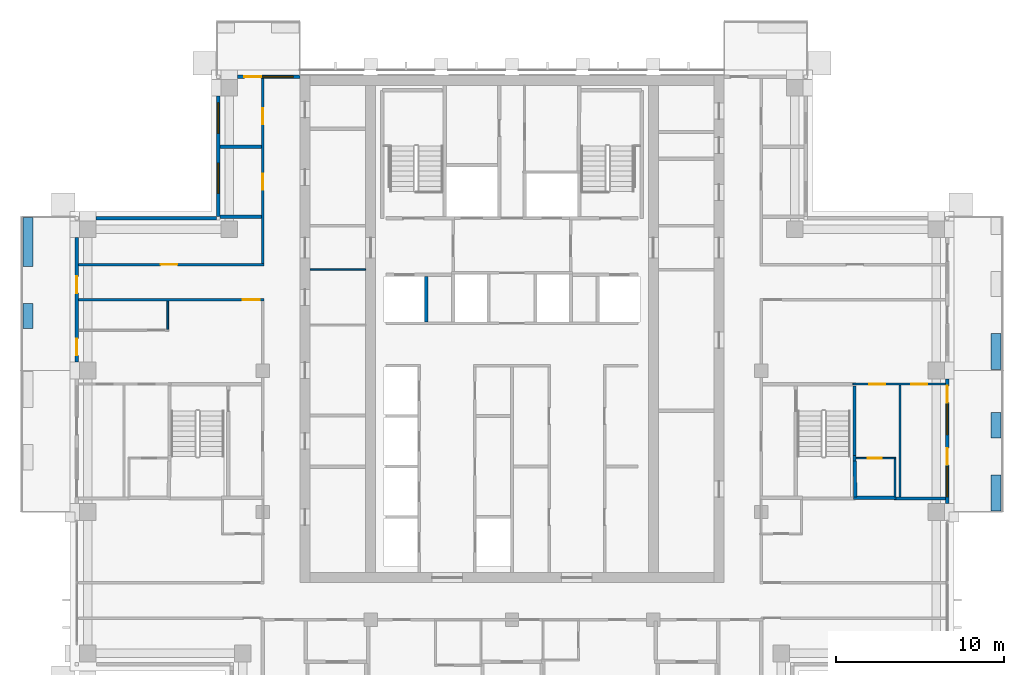
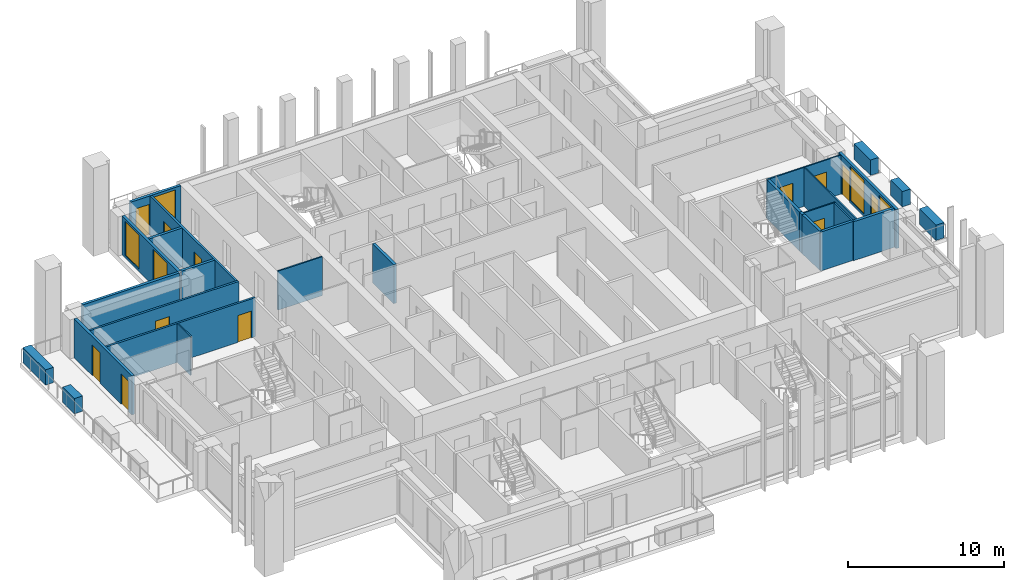
# One storey, part 10 of 17: 27 walls, 12 doors, 5 windows, 17 openings.
"""IFC4 building model written with IfcOpenShell, lengths in metres."""

import ifcopenshell
import ifcopenshell.guid

model = None  # the IFC model being written
_history = None  # IfcOwnerHistory: only IFC2X3 demands one
_inside = {}  # id of a spatial element -> (the spatial element, [elements in it])
_under = {}  # id of a project, library or spatial element -> (it, [spatial elements below it])
_declared = {}  # id of a project -> (the project, [libraries it declares])
_typed = {}  # id of a type object -> (the type object, [elements of that type])
_made_of = {}  # id of a material, layer set ... -> (it, [elements and type objects made of it])


def new_model(schema):
    """Start an empty IFC model of exactly this schema.

    Asked for "IFC4X3", IfcOpenShell would pick the latest addendum, in which some entities
    have other attributes; the version numbers below select the first issue.
    IFC2X3 requires an IfcOwnerHistory on every rooted entity: one is made here for all.
    """
    global model, _history
    if schema == "IFC4X3":
        model = ifcopenshell.file(schema_version=(4, 3, 0, 0))
    else:
        model = ifcopenshell.file(schema=schema)
    _inside.clear()
    _under.clear()
    _declared.clear()
    _typed.clear()
    _made_of.clear()
    _history = None
    if model.schema == "IFC2X3":
        org = make("IfcOrganization", Name="unknown")
        user = make(
            "IfcPersonAndOrganization",
            ThePerson=make("IfcPerson", FamilyName="unknown"),
            TheOrganization=org,
        )
        app = make(
            "IfcApplication",
            ApplicationDeveloper=org,
            Version="unknown",
            ApplicationFullName="unknown",
            ApplicationIdentifier="unknown",
        )
        _history = make(
            "IfcOwnerHistory",
            OwningUser=user,
            OwningApplication=app,
            ChangeAction="ADDED",
            CreationDate=0,
        )
    return model


def make(cls, **values):
    """One entity of the class cls with the attributes given. An attribute that is None is left unset."""
    return model.create_entity(
        cls, **{name: value for name, value in values.items() if value is not None}
    )


def rooted(cls, **values):
    """An entity with a GlobalId (a new one), such as an element, a storey or a relation."""
    return make(cls, GlobalId=ifcopenshell.guid.new(), OwnerHistory=_history, **values)


def si_unit(unit_type, name, prefix=None):
    """IfcSIUnit, for example si_unit("LENGTHUNIT", "METRE", prefix="MILLI")."""
    return make("IfcSIUnit", UnitType=unit_type, Prefix=prefix, Name=name)


def assignment(units):
    """IfcUnitAssignment: the units of a project."""
    return None if units is None else make("IfcUnitAssignment", Units=units)


def point(xyz):
    """IfcCartesianPoint."""
    return None if xyz is None else make("IfcCartesianPoint", Coordinates=xyz)


def direction(xyz):
    """IfcDirection."""
    return None if xyz is None else make("IfcDirection", DirectionRatios=xyz)


def frame(location, z_axis=None, x_axis=None):
    """IfcAxis2Placement3D, a coordinate frame: its origin and axes. An axis left out is left unset."""
    return make(
        "IfcAxis2Placement3D",
        Location=point(location),
        Axis=direction(z_axis),
        RefDirection=direction(x_axis),
    )


def frame_2d(location, x_axis=None):
    """IfcAxis2Placement2D, a coordinate frame in the plane: its origin and x axis."""
    return make(
        "IfcAxis2Placement2D", Location=point(location), RefDirection=direction(x_axis)
    )


def origin():
    """The frame at (0, 0, 0) with its axes left unset."""
    return frame((0.0, 0.0, 0.0))


def place(relative_to, where):
    """IfcLocalPlacement: puts the frame where relative to a parent placement (None: the world)."""
    return make(
        "IfcLocalPlacement", PlacementRelTo=relative_to, RelativePlacement=where
    )


def context(
    kind, dimensions, precision=None, world=None, true_north=None, identifier=None
):
    """IfcGeometricRepresentationContext, for example the 3D "Model" context."""
    return make(
        "IfcGeometricRepresentationContext",
        ContextIdentifier=identifier,
        ContextType=kind,
        CoordinateSpaceDimension=dimensions,
        Precision=precision,
        WorldCoordinateSystem=world,
        TrueNorth=true_north,
    )


def subcontext(parent, identifier, kind, view, scale=None):
    """IfcGeometricRepresentationSubContext, for example "Body" below "Model"."""
    return make(
        "IfcGeometricRepresentationSubContext",
        ContextIdentifier=identifier,
        ContextType=kind,
        ParentContext=parent,
        TargetScale=scale,
        TargetView=view,
    )


def project(units=None, contexts=None):
    """IfcProject with its units and contexts."""
    return rooted(
        "IfcProject",
        Name="project",
        RepresentationContexts=contexts,
        UnitsInContext=assignment(units),
    )


def spatial(cls, under=None, at=None, **own):
    """A site, building, storey or space (cls), placed at a placement, below another one or the project."""
    s = rooted(cls, ObjectPlacement=at, **own)
    if under is not None:
        _under.setdefault(under.id(), (under, []))[1].append(s)
    return s


def profile(cls, at=None, kind="AREA", **sizes):
    """A parametric profile (cls). Its sizes go by their IFC names, for example OverallWidth=200.0."""
    return make(cls, ProfileType=kind, Position=at, **sizes)


def rectangle(**sizes):
    """IfcRectangleProfileDef."""
    return profile("IfcRectangleProfileDef", **sizes)


def extrude(swept, where, along, depth):
    """IfcExtrudedAreaSolid: the profile swept, set in the frame where, extruded along a direction by depth."""
    return make(
        "IfcExtrudedAreaSolid",
        SweptArea=swept,
        Position=where,
        ExtrudedDirection=direction(along),
        Depth=depth,
    )


def shape(context_of_items, identifier, shape_type, items):
    """IfcShapeRepresentation: the items that make up one representation, for example the "Body"."""
    return make(
        "IfcShapeRepresentation",
        ContextOfItems=context_of_items,
        RepresentationIdentifier=identifier,
        RepresentationType=shape_type,
        Items=items,
    )


def material(Name=None, Category=None):
    """IfcMaterial."""
    return make("IfcMaterial", Name=Name, Category=Category)


def layer(
    of_material, thickness, ventilated=None, Name=None, Category=None, Priority=None
):
    """IfcMaterialLayer: one layer of a wall or slab, of a material (None: an air gap)."""
    return make(
        "IfcMaterialLayer",
        Material=of_material,
        LayerThickness=thickness,
        IsVentilated=ventilated,
        Name=Name,
        Category=Category,
        Priority=Priority,
    )


def layer_set(layers, Name=None):
    """IfcMaterialLayerSet."""
    return make("IfcMaterialLayerSet", MaterialLayers=layers, LayerSetName=Name)


def made_of(thing, what):
    """Note that an element or type object is made of a material, layer set ...; save() writes the relation."""
    if what is not None:
        _made_of.setdefault(what.id(), (what, []))[1].append(thing)
    return thing


def type_object(cls, material=None, **own):
    """A type object (cls), such as IfcWallType, which elements share."""
    return made_of(rooted(cls, **own), material)


def element(
    cls,
    number,
    at=None,
    inside=None,
    cuts=None,
    type_object=None,
    material=None,
    context=None,
    identifier="Body",
    shape_type=None,
    held_by="IfcProductDefinitionShape",
    body=None,
    shapes=None,
    **own,
):
    """One element of the class cls, such as IfcWall. Its Tag is "e" and its number.

    at: its placement. inside: the storey or other place that contains it. cuts: it is an
    opening in that element (IfcRelVoidsElement). A single representation is given by context,
    identifier, shape_type and body (its items); several are given by shapes. held_by: the class
    of the entity that holds the representations. save() writes the other relations.
    """
    e = rooted(cls, Tag="e%d" % number, ObjectPlacement=at, **own)
    if body is not None:
        shapes = [shape(context, identifier, shape_type, body)]
    if shapes is not None:
        e.Representation = make(held_by, Representations=shapes)
    if inside is not None:
        _inside.setdefault(inside.id(), (inside, []))[1].append(e)
    if cuts is not None:
        rooted(
            "IfcRelVoidsElement", RelatingBuildingElement=cuts, RelatedOpeningElement=e
        )
    if type_object is not None:
        _typed.setdefault(type_object.id(), (type_object, []))[1].append(e)
    return made_of(e, material)


def fill(opening, filler):
    """IfcRelFillsElement: the door or window that sits in an opening."""
    return rooted(
        "IfcRelFillsElement",
        RelatingOpeningElement=opening,
        RelatedBuildingElement=filler,
    )


def aggregate(whole, parts):
    """IfcRelAggregates: a whole, such as a stair, and the parts it consists of."""
    return rooted("IfcRelAggregates", RelatingObject=whole, RelatedObjects=parts)


def save(model, path):
    """Write the relations noted so far, then the file.

    IfcRelAggregates (storeys below a building ...), IfcRelContainedInSpatialStructure (elements
    in a storey), IfcRelDefinesByType, IfcRelAssociatesMaterial and IfcRelDeclares: one each for
    every whole, place, type object, material and project.
    """
    for whole, parts in _under.values():
        aggregate(whole, parts)
    for where, things in _inside.values():
        rooted(
            "IfcRelContainedInSpatialStructure",
            RelatedElements=things,
            RelatingStructure=where,
        )
    for kind, things in _typed.values():
        rooted("IfcRelDefinesByType", RelatedObjects=things, RelatingType=kind)
    for what, things in _made_of.values():
        rooted("IfcRelAssociatesMaterial", RelatedObjects=things, RelatingMaterial=what)
    for by, libraries in _declared.values():
        rooted("IfcRelDeclares", RelatingContext=by, RelatedDefinitions=libraries)
    model.write(path)


model = new_model("IFC4")

# Units and contexts
model_context = context("Model", 3, precision=1e-05, world=origin(), true_north=direction((0.0, 1.0)))
body_context = subcontext(model_context, "Body", "Model", "MODEL_VIEW")
ifc_project = project(units=[si_unit("LENGTHUNIT", "METRE"), si_unit("AREAUNIT", "SQUARE_METRE"), si_unit("VOLUMEUNIT", "CUBIC_METRE"), si_unit("PLANEANGLEUNIT", "RADIAN"), si_unit("MASSUNIT", "GRAM", prefix="KILO")], contexts=[model_context])

# Site, building, storey
site_placement = place(None, origin())
site = spatial("IfcSite", under=ifc_project, at=site_placement, CompositionType="ELEMENT")
building_placement = place(site_placement, origin())
building = spatial("IfcBuilding", under=site, at=building_placement, Name="Vermilion Ogive Tower", CompositionType="ELEMENT")
storey_placement = place(building_placement, frame((0.0, 0.0, 192.800048828125)))
storey = spatial("IfcBuildingStorey", under=building, at=storey_placement, Name="L50", CompositionType="ELEMENT", Elevation=192.800048828125)

# Wall, opening, door
ifc_material_1 = material(Name="Gypsum board partition on steel studs", Category="steel")
ifc_layer_1 = layer(ifc_material_1, 0.10009765625)
ifc_layer_set_1 = layer_set([ifc_layer_1], Name="Partition 100 bath")
wall_type_1 = type_object("IfcWallType", Name="Partition 100 bath", PredefinedType="PARTITIONING", material=ifc_layer_set_1)
wall_1_placement = place(storey_placement, frame((20.449951171875, -1.0, 0.0), z_axis=(0.0, 0.0, 1.0), x_axis=(1.0, 0.0, 0.0)))
wall_1 = element("IfcWall", 1, at=wall_1_placement, inside=storey, type_object=wall_type_1, Name="L50-W-W032", PredefinedType="PARTITIONING", context=body_context, shape_type="SweptSolid", body=[
    extrude(rectangle(XDim=2.35009765625, YDim=0.10009765625, at=frame_2d((1.175048828125, 0.0))), origin(), (0.0, 0.0, 1.0), 3.050048828125),
])
opening_1_placement = place(wall_1_placement, frame((0.675048828125, 0.0, 0.0)))
opening_1 = element("IfcOpeningElement", 2, at=opening_1_placement, cuts=wall_1, Name="Opening D4G3022", PredefinedType="OPENING", context=body_context, shape_type="SweptSolid", body=[
    extrude(rectangle(XDim=0.85009765625, YDim=2.10009765625, at=frame_2d((0.425048828125, 1.050048828125))), frame((0.0, 0.06005859375, 0.0), z_axis=(0.0, -1.0, 0.0), x_axis=(1.0, 0.0, 0.0)), (0.0, 0.0, 1.0), 0.1201171875),
])
ifc_material_2 = material(Name="Timber door leaf", Category="wood")
door_type_1 = type_object("IfcDoorType", Name="Bath door 850 x 2100 FD30", OperationType="SINGLE_SWING_LEFT", PredefinedType="DOOR", material=ifc_material_2)
door_1_placement = place(opening_1_placement, origin())
door_1 = element("IfcDoor", 3, at=door_1_placement, inside=storey, type_object=door_type_1, Name="L50-D-D022", OperationType="SINGLE_SWING_RIGHT", OverallHeight=2.10009765625, OverallWidth=0.85009765625, PredefinedType="DOOR", context=body_context, shape_type="SweptSolid", body=[
    extrude(rectangle(XDim=0.85009765625, YDim=2.10009765625, at=frame_2d((0.425048828125, 1.050048828125))), frame((0.0, 0.02490234375, 0.0), z_axis=(0.0, -1.0, 0.0), x_axis=(1.0, 0.0, 0.0)), (0.0, 0.0, 1.0), 0.050048828125),
])
fill(opening_1, door_1)

# Walls
wall_2_placement = place(storey_placement, frame((22.75, -3.300048828125, 0.0), z_axis=(0.0, 0.0, 1.0), x_axis=(0.0, 1.0, 0.0)))
element("IfcWall", 4, at=wall_2_placement, inside=storey, type_object=wall_type_1, Name="L50-W-W083", PredefinedType="PARTITIONING", context=body_context, shape_type="SweptSolid", body=[
    extrude(rectangle(XDim=2.25, YDim=0.10009765625, at=frame_2d((1.125, 0.0))), origin(), (0.0, 0.0, 1.0), 3.050048828125),
])
wall_3_placement = place(storey_placement, frame((-11.9990234375, 10.199951171875, 0.0), z_axis=(0.0, 0.0, 1.0), x_axis=(1.0, 0.0, 0.0)))
element("IfcWall", 5, at=wall_3_placement, inside=storey, type_object=wall_type_1, Name="L50-CKW-W-W004", PredefinedType="PARTITIONING", context=body_context, shape_type="SweptSolid", body=[
    extrude(rectangle(XDim=3.298095703125, YDim=0.10009765625, at=frame_2d((1.64892578125, 0.0))), origin(), (0.0, 0.0, 1.0), 3.050048828125),
])

# Wall, openings, doors
ifc_material_3 = material(Name="Gypsum board partition on steel studs", Category="steel")
ifc_layer_2 = layer(ifc_material_3, 0.10009765625)
ifc_layer_set_2 = layer_set([ifc_layer_2], Name="Partition 100 inner")
wall_type_2 = type_object("IfcWallType", Name="Partition 100 inner", PredefinedType="PARTITIONING", material=ifc_layer_set_2)
wall_4_placement = place(storey_placement, frame((20.25, 3.39990234375, 0.0), z_axis=(0.0, 0.0, 1.0), x_axis=(1.0, 0.0, 0.0)))
wall_4 = element("IfcWall", 6, at=wall_4_placement, inside=storey, type_object=wall_type_2, Name="L50-W-W036", PredefinedType="PARTITIONING", context=body_context, shape_type="SweptSolid", body=[
    extrude(rectangle(XDim=5.5, YDim=0.10009765625, at=frame_2d((2.75, 0.0))), origin(), (0.0, 0.0, 1.0), 3.050048828125),
])
opening_2_placement = place(wall_4_placement, frame((3.474853515625, 0.0, 0.0)))
opening_2 = element("IfcOpeningElement", 7, at=opening_2_placement, cuts=wall_4, Name="Opening D4G3019", PredefinedType="OPENING", context=body_context, shape_type="SweptSolid", body=[
    extrude(rectangle(XDim=0.949951171875, YDim=2.10009765625, at=frame_2d((0.47509765625, 1.050048828125))), frame((0.0, 0.06005859375, 0.0), z_axis=(0.0, -1.0, 0.0), x_axis=(1.0, 0.0, 0.0)), (0.0, 0.0, 1.0), 0.1201171875),
])
opening_3_placement = place(wall_4_placement, frame((0.97509765625, 0.0, 0.0)))
opening_3 = element("IfcOpeningElement", 8, at=opening_3_placement, cuts=wall_4, Name="Opening D4G3021", PredefinedType="OPENING", context=body_context, shape_type="SweptSolid", body=[
    extrude(rectangle(XDim=0.949951171875, YDim=2.10009765625, at=frame_2d((0.47509765625, 1.050048828125))), frame((0.0, 0.06005859375, 0.0), z_axis=(0.0, -1.0, 0.0), x_axis=(1.0, 0.0, 0.0)), (0.0, 0.0, 1.0), 0.1201171875),
])
ifc_material_4 = material(Name="Timber door leaf", Category="wood")
door_type_2 = type_object("IfcDoorType", Name="Inner door 950 x 2100 FD30", OperationType="SINGLE_SWING_LEFT", PredefinedType="DOOR", material=ifc_material_4)
door_2_placement = place(opening_2_placement, origin())
door_2 = element("IfcDoor", 9, at=door_2_placement, inside=storey, type_object=door_type_2, Name="L50-D-D019", OperationType="SINGLE_SWING_RIGHT", OverallHeight=2.10009765625, OverallWidth=0.949951171875, PredefinedType="DOOR", context=body_context, shape_type="SweptSolid", body=[
    extrude(rectangle(XDim=0.949951171875, YDim=2.10009765625, at=frame_2d((0.47509765625, 1.050048828125))), frame((0.0, 0.02490234375, 0.0), z_axis=(0.0, -1.0, 0.0), x_axis=(1.0, 0.0, 0.0)), (0.0, 0.0, 1.0), 0.050048828125),
])
fill(opening_2, door_2)
door_3_placement = place(opening_3_placement, origin())
door_3 = element("IfcDoor", 10, at=door_3_placement, inside=storey, type_object=door_type_2, Name="L50-D-D021", OperationType="SINGLE_SWING_RIGHT", OverallHeight=2.10009765625, OverallWidth=0.949951171875, PredefinedType="DOOR", context=body_context, shape_type="SweptSolid", body=[
    extrude(rectangle(XDim=0.949951171875, YDim=2.10009765625, at=frame_2d((0.47509765625, 1.050048828125))), frame((0.0, 0.02490234375, 0.0), z_axis=(0.0, -1.0, 0.0), x_axis=(1.0, 0.0, 0.0)), (0.0, 0.0, 1.0), 0.050048828125),
])
fill(opening_3, door_3)

# Walls
wall_5_placement = place(storey_placement, frame((-20.449951171875, 6.64990234375, 0.0), z_axis=(0.0, 0.0, 1.0), x_axis=(0.0, 1.0, 0.0)))
element("IfcWall", 11, at=wall_5_placement, inside=storey, type_object=wall_type_2, Name="L50-W-W048", PredefinedType="PARTITIONING", context=body_context, shape_type="SweptSolid", body=[
    extrude(rectangle(XDim=1.675048828125, YDim=0.10009765625, at=frame_2d((0.83740234375, 0.0))), origin(), (0.0, 0.0, 1.0), 3.050048828125),
])
wall_6_placement = place(storey_placement, frame((23.050048828125, -3.300048828125, 0.0), z_axis=(0.0, 0.0, 1.0), x_axis=(0.0, 1.0, 0.0)))
element("IfcWall", 12, at=wall_6_placement, inside=storey, type_object=wall_type_2, Name="L50-W-W084", PredefinedType="PARTITIONING", context=body_context, shape_type="SweptSolid", body=[
    extrude(rectangle(XDim=6.650146484375, YDim=0.10009765625, at=frame_2d((3.3251953125, 0.0))), origin(), (0.0, 0.0, 1.0), 3.050048828125),
])

# Wall, opening, door
ifc_material_5 = material(Name="Gypsum board partition on steel studs", Category="steel")
ifc_layer_3 = layer(ifc_material_5, 0.14990234375)
ifc_layer_set_3 = layer_set([ifc_layer_3], Name="Partition 150 corridor")
wall_type_3 = type_object("IfcWallType", Name="Partition 150 corridor", PredefinedType="PARTITIONING", material=ifc_layer_set_3)
wall_7_placement = place(storey_placement, frame((-25.75, 8.39990234375, 0.0), z_axis=(0.0, 0.0, 1.0), x_axis=(1.0, 0.0, 0.0)))
wall_7 = element("IfcWall", 13, at=wall_7_placement, inside=storey, type_object=wall_type_3, Name="L50-W-W038", PredefinedType="PARTITIONING", context=body_context, shape_type="SweptSolid", body=[
    extrude(rectangle(XDim=11.02490234375, YDim=0.14990234375, at=frame_2d((5.512451171875, 0.0))), origin(), (0.0, 0.0, 1.0), 3.050048828125),
])
opening_4_placement = place(wall_7_placement, frame((9.75, 0.0, 0.0)))
opening_4 = element("IfcOpeningElement", 14, at=opening_4_placement, cuts=wall_7, Name="Opening D4G3006", PredefinedType="OPENING", context=body_context, shape_type="SweptSolid", body=[
    extrude(rectangle(XDim=1.0, YDim=2.10009765625, at=frame_2d((0.5, 1.050048828125))), frame((0.0, 0.0849609375, 0.0), z_axis=(0.0, -1.0, 0.0), x_axis=(1.0, 0.0, 0.0)), (0.0, 0.0, 1.0), 0.169921875),
])
ifc_material_6 = material(Name="Timber door leaf", Category="wood")
door_type_3 = type_object("IfcDoorType", Name="Unit door 1000 x 2100 FD30S", OperationType="SINGLE_SWING_LEFT", PredefinedType="DOOR", material=ifc_material_6)
door_4_placement = place(opening_4_placement, origin())
door_4 = element("IfcDoor", 15, at=door_4_placement, inside=storey, type_object=door_type_3, Name="L50-D-D006", OperationType="SINGLE_SWING_RIGHT", OverallHeight=2.10009765625, OverallWidth=1.0, PredefinedType="DOOR", context=body_context, shape_type="SweptSolid", body=[
    extrude(rectangle(XDim=1.0, YDim=2.10009765625, at=frame_2d((0.5, 1.050048828125))), frame((0.0, 0.02490234375, 0.0), z_axis=(0.0, -1.0, 0.0), x_axis=(1.0, 0.0, 0.0)), (0.0, 0.0, 1.0), 0.050048828125),
])
fill(opening_4, door_4)

wall_8_placement = place(storey_placement, frame((-25.75, 10.5, 0.0), z_axis=(0.0, 0.0, 1.0), x_axis=(1.0, 0.0, 0.0)))
wall_8 = element("IfcWall", 16, at=wall_8_placement, inside=storey, type_object=wall_type_3, Name="L50-W-W040", PredefinedType="PARTITIONING", context=body_context, shape_type="SweptSolid", body=[
    extrude(rectangle(XDim=11.02490234375, YDim=0.14990234375, at=frame_2d((5.512451171875, 0.0))), origin(), (0.0, 0.0, 1.0), 3.050048828125),
])
opening_5_placement = place(wall_8_placement, frame((4.875, 0.0, 0.0)))
opening_5 = element("IfcOpeningElement", 17, at=opening_5_placement, cuts=wall_8, Name="Opening D4G3037", PredefinedType="OPENING", context=body_context, shape_type="SweptSolid", body=[
    extrude(rectangle(XDim=1.0, YDim=2.10009765625, at=frame_2d((0.5, 1.050048828125))), frame((0.0, 0.0849609375, 0.0), z_axis=(0.0, -1.0, 0.0), x_axis=(1.0, 0.0, 0.0)), (0.0, 0.0, 1.0), 0.169921875),
])
door_5_placement = place(opening_5_placement, origin())
door_5 = element("IfcDoor", 18, at=door_5_placement, inside=storey, type_object=door_type_3, Name="L50-D-D037", OperationType="SINGLE_SWING_RIGHT", OverallHeight=2.10009765625, OverallWidth=1.0, PredefinedType="DOOR", context=body_context, shape_type="SweptSolid", body=[
    extrude(rectangle(XDim=1.0, YDim=2.10009765625, at=frame_2d((0.5, 1.050048828125))), frame((0.0, 0.02490234375, 0.0), z_axis=(0.0, -1.0, 0.0), x_axis=(1.0, 0.0, 0.0)), (0.0, 0.0, 1.0), 0.050048828125),
])
fill(opening_5, door_5)

# Wall, openings, doors
wall_9_placement = place(storey_placement, frame((-14.800048828125, 10.574951171875, 0.0), z_axis=(0.0, 0.0, 1.0), x_axis=(0.0, 1.0, 0.0)))
wall_9 = element("IfcWall", 19, at=wall_9_placement, inside=storey, type_object=wall_type_3, Name="L50-W-W057", PredefinedType="PARTITIONING", context=body_context, shape_type="SweptSolid", body=[
    extrude(rectangle(XDim=10.97509765625, YDim=0.14990234375, at=frame_2d((5.487548828125, 0.0))), origin(), (0.0, 0.0, 1.0), 3.050048828125),
])
opening_6_placement = place(wall_9_placement, frame((4.375, 0.0, 0.0)))
opening_6 = element("IfcOpeningElement", 20, at=opening_6_placement, cuts=wall_9, Name="Opening D4G3009", PredefinedType="OPENING", context=body_context, shape_type="SweptSolid", body=[
    extrude(rectangle(XDim=0.949951171875, YDim=2.10009765625, at=frame_2d((0.47509765625, 1.050048828125))), frame((0.0, 0.0849609375, 0.0), z_axis=(0.0, -1.0, 0.0), x_axis=(1.0, 0.0, 0.0)), (0.0, 0.0, 1.0), 0.169921875),
])
opening_7_placement = place(wall_9_placement, frame((8.275146484375, 0.0, 0.0)))
opening_7 = element("IfcOpeningElement", 21, at=opening_7_placement, cuts=wall_9, Name="Opening D4G3010", PredefinedType="OPENING", context=body_context, shape_type="SweptSolid", body=[
    extrude(rectangle(XDim=0.949951171875, YDim=2.10009765625, at=frame_2d((0.47509765625, 1.050048828125))), frame((0.0, 0.0849609375, 0.0), z_axis=(0.0, -1.0, 0.0), x_axis=(1.0, 0.0, 0.0)), (0.0, 0.0, 1.0), 0.169921875),
])
ifc_material_7 = material(Name="Timber door leaf", Category="wood")
door_type_4 = type_object("IfcDoorType", Name="Unit door 950 x 2100 FD30S", OperationType="SINGLE_SWING_LEFT", PredefinedType="DOOR", material=ifc_material_7)
door_6_placement = place(opening_6_placement, origin())
door_6 = element("IfcDoor", 22, at=door_6_placement, inside=storey, type_object=door_type_4, Name="L50-D-D009", OperationType="SINGLE_SWING_LEFT", OverallHeight=2.10009765625, OverallWidth=0.949951171875, PredefinedType="DOOR", context=body_context, shape_type="SweptSolid", body=[
    extrude(rectangle(XDim=0.949951171875, YDim=2.10009765625, at=frame_2d((0.47509765625, 1.050048828125))), frame((0.0, 0.02490234375, 0.0), z_axis=(0.0, -1.0, 0.0), x_axis=(1.0, 0.0, 0.0)), (0.0, 0.0, 1.0), 0.050048828125),
])
fill(opening_6, door_6)
door_7_placement = place(opening_7_placement, origin())
door_7 = element("IfcDoor", 23, at=door_7_placement, inside=storey, type_object=door_type_4, Name="L50-D-D010", OperationType="SINGLE_SWING_RIGHT", OverallHeight=2.10009765625, OverallWidth=0.949951171875, PredefinedType="DOOR", context=body_context, shape_type="SweptSolid", body=[
    extrude(rectangle(XDim=0.949951171875, YDim=2.10009765625, at=frame_2d((0.47509765625, 1.050048828125))), frame((0.0, 0.02490234375, 0.0), z_axis=(0.0, -1.0, 0.0), x_axis=(1.0, 0.0, 0.0)), (0.0, 0.0, 1.0), 0.050048828125),
])
fill(opening_7, door_7)

# Walls
ifc_material_8 = material(Name="Gypsum board partition on steel studs", Category="steel")
ifc_layer_4 = layer(ifc_material_8, 0.199951171875)
ifc_layer_set_4 = layer_set([ifc_layer_4], Name="Partition 200 party")
wall_type_4 = type_object("IfcWallType", Name="Partition 200 party", PredefinedType="PARTITIONING", material=ifc_layer_set_4)
wall_10_placement = place(storey_placement, frame((22.699951171875, -3.39990234375, 0.0), z_axis=(0.0, 0.0, 1.0), x_axis=(1.0, 0.0, 0.0)))
element("IfcWall", 24, at=wall_10_placement, inside=storey, type_object=wall_type_4, Name="L50-W-W030", PredefinedType="PARTITIONING", context=body_context, shape_type="SweptSolid", body=[
    extrude(rectangle(XDim=3.050048828125, YDim=0.199951171875, at=frame_2d((1.52490234375, 0.0))), origin(), (0.0, 0.0, 1.0), 3.050048828125),
])
for number, where, z_axis, x_axis, name in (
    (25, (-17.35009765625, 13.35009765625, 0.0), (0.0, 0.0, 1.0), (1.0, 0.0, 0.0), "L50-W-W042"),
    (26, (-17.35009765625, 17.5, 0.0), (0.0, 0.0, 1.0), (1.0, 0.0, 0.0), "L50-W-W044"),
):
    element("IfcWall", number, at=place(storey_placement, frame(where, z_axis=z_axis, x_axis=x_axis)), inside=storey, type_object=wall_type_4, Name=name, PredefinedType="PARTITIONING", context=body_context, shape_type="SweptSolid", body=[
        extrude(rectangle(XDim=2.47509765625, YDim=0.199951171875, at=frame_2d((1.237548828125, 0.0))), origin(), (0.0, 0.0, 1.0), 3.050048828125),
    ])
wall_11_placement = place(storey_placement, frame((-5.10009765625, 7.074951171875, 0.0), z_axis=(0.0, 0.0, 1.0), x_axis=(0.0, 1.0, 0.0)))
element("IfcWall", 27, at=wall_11_placement, inside=storey, type_object=wall_type_4, Name="L50-CK-W-W021", PredefinedType="PARTITIONING", context=body_context, shape_type="SweptSolid", body=[
    extrude(rectangle(XDim=2.72509765625, YDim=0.199951171875, at=frame_2d((1.362548828125, 0.0))), origin(), (0.0, 0.0, 1.0), 3.050048828125),
])
ifc_material_9 = material(Name="Concrete B60", Category="concrete")
ifc_layer_5 = layer(ifc_material_9, 0.199951171875)
ifc_layer_set_5 = layer_set([ifc_layer_5], Name="Stair shaft wall 200 Concrete B60")
wall_type_5 = type_object("IfcWallType", Name="Stair shaft wall 200 Concrete B60", PredefinedType="SOLIDWALL", material=ifc_layer_set_5)
wall_12_placement = place(storey_placement, frame((20.300048828125, -3.349853515625, 0.0), z_axis=(0.0, 0.0, 1.0), x_axis=(1.0, 0.0, 0.0)))
element("IfcWall", 28, at=wall_12_placement, inside=storey, type_object=wall_type_5, Name="L50-W-W029", PredefinedType="SOLIDWALL", context=body_context, shape_type="SweptSolid", body=[
    extrude(rectangle(XDim=2.5, YDim=0.199951171875, at=frame_2d((1.25, 0.0))), origin(), (0.0, 0.0, 1.0), 3.050048828125),
])
wall_13_placement = place(storey_placement, frame((20.400146484375, -3.300048828125, 0.0), z_axis=(0.0, 0.0, 1.0), x_axis=(-0.021771342749, 0.999762976227, 0.0)))
element("IfcWall", 29, at=wall_13_placement, inside=storey, type_object=wall_type_5, Name="L50-W-W081", PredefinedType="SOLIDWALL", context=body_context, shape_type="SweptSolid", body=[
    extrude(rectangle(XDim=2.130615234375, YDim=0.199951171875, at=frame_2d((1.0654296875, 0.0))), origin(), (0.0, 0.0, 1.0), 3.050048828125),
])
wall_14_placement = place(storey_placement, frame((20.35009765625, -0.830078125, 0.0), z_axis=(0.0, 0.0, 1.0), x_axis=(0.0, 1.0, 0.0)))
element("IfcWall", 30, at=wall_14_placement, inside=storey, type_object=wall_type_5, Name="L50-W-W082", PredefinedType="SOLIDWALL", context=body_context, shape_type="SweptSolid", body=[
    extrude(rectangle(XDim=4.130126953125, YDim=0.199951171875, at=frame_2d((2.06494140625, 0.0))), origin(), (0.0, 0.0, 1.0), 3.050048828125),
])
wall_15_placement = place(storey_placement, frame((20.35009765625, -1.169921875, 0.0), z_axis=(0.0, 0.0, 1.0), x_axis=(0.0, 1.0, 0.0)))
element("IfcWall", 31, at=wall_15_placement, inside=storey, type_object=wall_type_5, Name="L50-SW-ST8-E1", PredefinedType="SOLIDWALL", context=body_context, shape_type="SweptSolid", body=[
    extrude(rectangle(XDim=0.33984375, YDim=0.199951171875, at=frame_2d((0.169921875, 0.0))), origin(), (0.0, 0.0, 1.0), 3.050048828125),
])
ifc_material_10 = material(Name="Concrete B40", Category="concrete")
ifc_layer_6 = layer(ifc_material_10, 0.60009765625)
ifc_layer_set_6 = layer_set([ifc_layer_6], Name="Structural planter")
wall_type_6 = type_object("IfcWallType", Name="Structural planter", PredefinedType="USERDEFINED", material=ifc_layer_set_6)
wall_16_placement = place(storey_placement, frame((28.75, -4.139892578125, -0.0400390625), z_axis=(0.0, 0.0, 1.0), x_axis=(0.0, 1.0, 0.0)))
element("IfcWall", 32, at=wall_16_placement, inside=storey, type_object=wall_type_6, Name="Planter E02A1", ObjectType="PLANTER", PredefinedType="USERDEFINED", context=body_context, shape_type="SweptSolid", body=[
    extrude(rectangle(XDim=2.139892578125, YDim=0.60009765625, at=frame_2d((1.06982421875, 0.0))), origin(), (0.0, 0.0, 1.0), 1.199951171875),
])
wall_17_placement = place(storey_placement, frame((28.75, 0.199951171875, -0.0400390625), z_axis=(0.0, 0.0, 1.0), x_axis=(0.0, 1.0, 0.0)))
element("IfcWall", 33, at=wall_17_placement, inside=storey, type_object=wall_type_6, Name="Planter E02A2", ObjectType="PLANTER", PredefinedType="USERDEFINED", context=body_context, shape_type="SweptSolid", body=[
    extrude(rectangle(XDim=1.5, YDim=0.60009765625, at=frame_2d((0.75, 0.0))), origin(), (0.0, 0.0, 1.0), 1.199951171875),
])
wall_18_placement = place(storey_placement, frame((28.75, 4.260009765625, -0.0400390625), z_axis=(0.0, 0.0, 1.0), x_axis=(0.0, 1.0, 0.0)))
element("IfcWall", 34, at=wall_18_placement, inside=storey, type_object=wall_type_6, Name="Planter E03A1", ObjectType="PLANTER", PredefinedType="USERDEFINED", context=body_context, shape_type="SweptSolid", body=[
    extrude(rectangle(XDim=2.139892578125, YDim=0.60009765625, at=frame_2d((1.06982421875, 0.0))), origin(), (0.0, 0.0, 1.0), 1.199951171875),
])
wall_19_placement = place(storey_placement, frame((-28.75, 13.2900390625, -0.0400390625), z_axis=(0.0, 0.0, 1.0), x_axis=(0.0, -1.0, 0.0)))
element("IfcWall", 35, at=wall_19_placement, inside=storey, type_object=wall_type_6, Name="Planter W01A1", ObjectType="PLANTER", PredefinedType="USERDEFINED", context=body_context, shape_type="SweptSolid", body=[
    extrude(rectangle(XDim=2.89013671875, YDim=0.60009765625, at=frame_2d((1.445068359375, 0.0))), origin(), (0.0, 0.0, 1.0), 1.199951171875),
])
wall_20_placement = place(storey_placement, frame((-28.75, 8.199951171875, -0.0400390625), z_axis=(0.0, 0.0, 1.0), x_axis=(0.0, -1.0, 0.0)))
element("IfcWall", 36, at=wall_20_placement, inside=storey, type_object=wall_type_6, Name="Planter W01A2", ObjectType="PLANTER", PredefinedType="USERDEFINED", context=body_context, shape_type="SweptSolid", body=[
    extrude(rectangle(XDim=1.5, YDim=0.60009765625, at=frame_2d((0.75, 0.0))), origin(), (0.0, 0.0, 1.0), 1.199951171875),
])

# Wall, openings, doors, windows
ifc_material_11 = material(Name="Aluminium window wall framing", Category="aluminium")
ifc_layer_7 = layer(ifc_material_11, 0.199951171875)
ifc_layer_set_7 = layer_set([ifc_layer_7], Name="Window wall")
wall_type_7 = type_object("IfcWallType", Name="Window wall", PredefinedType="STANDARD", material=ifc_layer_set_7)
wall_21_placement = place(storey_placement, frame((25.85009765625, -3.699951171875, 0.0), z_axis=(0.0, 0.0, 1.0), x_axis=(0.0, 1.0, 0.0)))
wall_21 = element("IfcWall", 37, at=wall_21_placement, inside=storey, type_object=wall_type_7, Name="Window wall E2", PredefinedType="STANDARD", context=body_context, shape_type="SweptSolid", body=[
    extrude(rectangle(XDim=7.39990234375, YDim=0.199951171875, at=frame_2d((3.699951171875, 0.0))), origin(), (0.0, 0.0, 1.0), 3.050048828125),
])
opening_8_placement = place(wall_21_placement, frame((0.39990234375, 0.0, 0.199951171875)))
opening_8 = element("IfcOpeningElement", 38, at=opening_8_placement, cuts=wall_21, Name="Opening W1-E99", PredefinedType="OPENING", context=body_context, shape_type="SweptSolid", body=[
    extrude(rectangle(XDim=1.800048828125, YDim=2.64990234375, at=frame_2d((0.89990234375, 1.324951171875))), frame((0.0, 0.10986328125, 0.0), z_axis=(0.0, -1.0, 0.0), x_axis=(1.0, 0.0, 0.0)), (0.0, 0.0, 1.0), 0.219970703125),
])
opening_9_placement = place(wall_21_placement, frame((2.300048828125, 0.0, 0.0)))
opening_9 = element("IfcOpeningElement", 39, at=opening_9_placement, cuts=wall_21, Name="Opening D1-E99", PredefinedType="OPENING", context=body_context, shape_type="SweptSolid", body=[
    extrude(rectangle(XDim=1.0, YDim=2.39990234375, at=frame_2d((0.5, 1.199951171875))), frame((0.0, 0.10986328125, 0.0), z_axis=(0.0, -1.0, 0.0), x_axis=(1.0, 0.0, 0.0)), (0.0, 0.0, 1.0), 0.219970703125),
])
opening_10_placement = place(wall_21_placement, frame((4.10009765625, 0.0, 0.199951171875)))
opening_10 = element("IfcOpeningElement", 40, at=opening_10_placement, cuts=wall_21, Name="Opening W1-E00", PredefinedType="OPENING", context=body_context, shape_type="SweptSolid", body=[
    extrude(rectangle(XDim=1.800048828125, YDim=2.64990234375, at=frame_2d((0.89990234375, 1.324951171875))), frame((0.0, 0.10986328125, 0.0), z_axis=(0.0, -1.0, 0.0), x_axis=(1.0, 0.0, 0.0)), (0.0, 0.0, 1.0), 0.219970703125),
])
opening_11_placement = place(wall_21_placement, frame((6.0, 0.0, 0.0)))
opening_11 = element("IfcOpeningElement", 41, at=opening_11_placement, cuts=wall_21, Name="Opening D1-E00", PredefinedType="OPENING", context=body_context, shape_type="SweptSolid", body=[
    extrude(rectangle(XDim=1.0, YDim=2.39990234375, at=frame_2d((0.5, 1.199951171875))), frame((0.0, 0.10986328125, 0.0), z_axis=(0.0, -1.0, 0.0), x_axis=(1.0, 0.0, 0.0)), (0.0, 0.0, 1.0), 0.219970703125),
])
ifc_material_12 = material(Name="Aluminium framed glazed door", Category="aluminium")
door_type_5 = type_object("IfcDoorType", Name="Balcony door D1", OperationType="SINGLE_SWING_LEFT", PredefinedType="DOOR", material=ifc_material_12)
door_8_placement = place(opening_9_placement, origin())
door_8 = element("IfcDoor", 42, at=door_8_placement, inside=storey, type_object=door_type_5, Name="Balcony door E99", OperationType="SINGLE_SWING_LEFT", OverallHeight=2.39990234375, OverallWidth=1.0, PredefinedType="DOOR", context=body_context, shape_type="SweptSolid", body=[
    extrude(rectangle(XDim=1.0, YDim=2.39990234375, at=frame_2d((0.5, 1.199951171875))), frame((0.0, 0.02490234375, 0.0), z_axis=(0.0, -1.0, 0.0), x_axis=(1.0, 0.0, 0.0)), (0.0, 0.0, 1.0), 0.050048828125),
])
fill(opening_9, door_8)
door_9_placement = place(opening_11_placement, origin())
door_9 = element("IfcDoor", 43, at=door_9_placement, inside=storey, type_object=door_type_5, Name="Balcony door E00", OperationType="SINGLE_SWING_LEFT", OverallHeight=2.39990234375, OverallWidth=1.0, PredefinedType="DOOR", context=body_context, shape_type="SweptSolid", body=[
    extrude(rectangle(XDim=1.0, YDim=2.39990234375, at=frame_2d((0.5, 1.199951171875))), frame((0.0, 0.02490234375, 0.0), z_axis=(0.0, -1.0, 0.0), x_axis=(1.0, 0.0, 0.0)), (0.0, 0.0, 1.0), 0.050048828125),
])
fill(opening_11, door_9)
ifc_material_13 = material(Name="Aluminium framed double glazing", Category="aluminium")
window_type = type_object("IfcWindowType", Name="Guest window W1", PartitioningType="SINGLE_PANEL", PredefinedType="WINDOW", material=ifc_material_13)
window_1_placement = place(opening_8_placement, origin())
window_1 = element("IfcWindow", 44, at=window_1_placement, inside=storey, type_object=window_type, Name="Window E99", OverallHeight=2.64990234375, OverallWidth=1.800048828125, PartitioningType="SINGLE_PANEL", PredefinedType="WINDOW", context=body_context, shape_type="SweptSolid", body=[
    extrude(rectangle(XDim=1.800048828125, YDim=2.64990234375, at=frame_2d((0.89990234375, 1.324951171875))), frame((0.0, 0.030029296875, 0.0), z_axis=(0.0, -1.0, 0.0), x_axis=(1.0, 0.0, 0.0)), (0.0, 0.0, 1.0), 0.06005859375),
])
fill(opening_8, window_1)
window_2_placement = place(opening_10_placement, origin())
window_2 = element("IfcWindow", 45, at=window_2_placement, inside=storey, type_object=window_type, Name="Window E00", OverallHeight=2.64990234375, OverallWidth=1.800048828125, PartitioningType="SINGLE_PANEL", PredefinedType="WINDOW", context=body_context, shape_type="SweptSolid", body=[
    extrude(rectangle(XDim=1.800048828125, YDim=2.64990234375, at=frame_2d((0.89990234375, 1.324951171875))), frame((0.0, 0.030029296875, 0.0), z_axis=(0.0, -1.0, 0.0), x_axis=(1.0, 0.0, 0.0)), (0.0, 0.0, 1.0), 0.06005859375),
])
fill(opening_10, window_2)

# Wall, openings, door, window
wall_22_placement = place(storey_placement, frame((-12.60009765625, 21.64990234375, 0.0), z_axis=(0.0, 0.0, 1.0), x_axis=(-1.0, 0.0, 0.0)))
wall_22 = element("IfcWall", 46, at=wall_22_placement, inside=storey, type_object=wall_type_7, Name="Window wall N21", PredefinedType="STANDARD", context=body_context, shape_type="SweptSolid", body=[
    extrude(rectangle(XDim=3.699951171875, YDim=0.199951171875, at=frame_2d((1.85009765625, 0.0))), origin(), (0.0, 0.0, 1.0), 3.050048828125),
])
opening_12_placement = place(wall_22_placement, frame((0.39990234375, 0.0, 0.199951171875)))
opening_12 = element("IfcOpeningElement", 47, at=opening_12_placement, cuts=wall_22, Name="Opening W1-N296", PredefinedType="OPENING", context=body_context, shape_type="SweptSolid", body=[
    extrude(rectangle(XDim=1.800048828125, YDim=2.64990234375, at=frame_2d((0.89990234375, 1.324951171875))), frame((0.0, 0.10986328125, 0.0), z_axis=(0.0, -1.0, 0.0), x_axis=(1.0, 0.0, 0.0)), (0.0, 0.0, 1.0), 0.219970703125),
])
opening_13_placement = place(wall_22_placement, frame((2.300048828125, 0.0, 0.0)))
opening_13 = element("IfcOpeningElement", 48, at=opening_13_placement, cuts=wall_22, Name="Opening D1-N296", PredefinedType="OPENING", context=body_context, shape_type="SweptSolid", body=[
    extrude(rectangle(XDim=1.0, YDim=2.39990234375, at=frame_2d((0.5, 1.199951171875))), frame((0.0, 0.10986328125, 0.0), z_axis=(0.0, -1.0, 0.0), x_axis=(1.0, 0.0, 0.0)), (0.0, 0.0, 1.0), 0.219970703125),
])
door_10_placement = place(opening_13_placement, origin())
door_10 = element("IfcDoor", 49, at=door_10_placement, inside=storey, type_object=door_type_5, Name="Balcony door N296", OperationType="SINGLE_SWING_LEFT", OverallHeight=2.39990234375, OverallWidth=1.0, PredefinedType="DOOR", context=body_context, shape_type="SweptSolid", body=[
    extrude(rectangle(XDim=1.0, YDim=2.39990234375, at=frame_2d((0.5, 1.199951171875))), frame((0.0, 0.02490234375, 0.0), z_axis=(0.0, -1.0, 0.0), x_axis=(1.0, 0.0, 0.0)), (0.0, 0.0, 1.0), 0.050048828125),
])
fill(opening_13, door_10)
window_3_placement = place(opening_12_placement, origin())
window_3 = element("IfcWindow", 50, at=window_3_placement, inside=storey, type_object=window_type, Name="Window N296", OverallHeight=2.64990234375, OverallWidth=1.800048828125, PartitioningType="SINGLE_PANEL", PredefinedType="WINDOW", context=body_context, shape_type="SweptSolid", body=[
    extrude(rectangle(XDim=1.800048828125, YDim=2.64990234375, at=frame_2d((0.89990234375, 1.324951171875))), frame((0.0, 0.030029296875, 0.0), z_axis=(0.0, -1.0, 0.0), x_axis=(1.0, 0.0, 0.0)), (0.0, 0.0, 1.0), 0.06005859375),
])
fill(opening_12, window_3)

# Wall, openings, windows
wall_23_placement = place(storey_placement, frame((-17.449951171875, 20.5, 0.0), z_axis=(0.0, 0.0, 1.0), x_axis=(0.0, -1.0, 0.0)))
wall_23 = element("IfcWall", 51, at=wall_23_placement, inside=storey, type_object=wall_type_7, Name="Window wall X51", PredefinedType="STANDARD", context=body_context, shape_type="SweptSolid", body=[
    extrude(rectangle(XDim=7.14990234375, YDim=0.199951171875, at=frame_2d((3.574951171875, 0.0))), origin(), (0.0, 0.0, 1.0), 3.050048828125),
])
opening_14_placement = place(wall_23_placement, frame((3.97509765625, 0.0, 0.199951171875)))
opening_14 = element("IfcOpeningElement", 52, at=opening_14_placement, cuts=wall_23, Name="Opening W1-X503", PredefinedType="OPENING", context=body_context, shape_type="SweptSolid", body=[
    extrude(rectangle(XDim=1.800048828125, YDim=2.64990234375, at=frame_2d((0.89990234375, 1.324951171875))), frame((0.0, 0.10986328125, 0.0), z_axis=(0.0, -1.0, 0.0), x_axis=(1.0, 0.0, 0.0)), (0.0, 0.0, 1.0), 0.219970703125),
])
opening_15_placement = place(wall_23_placement, frame((0.39990234375, 0.0, 0.199951171875)))
opening_15 = element("IfcOpeningElement", 53, at=opening_15_placement, cuts=wall_23, Name="Opening W1-X504", PredefinedType="OPENING", context=body_context, shape_type="SweptSolid", body=[
    extrude(rectangle(XDim=1.800048828125, YDim=2.64990234375, at=frame_2d((0.89990234375, 1.324951171875))), frame((0.0, 0.10986328125, 0.0), z_axis=(0.0, -1.0, 0.0), x_axis=(1.0, 0.0, 0.0)), (0.0, 0.0, 1.0), 0.219970703125),
])
window_4_placement = place(opening_14_placement, origin())
window_4 = element("IfcWindow", 54, at=window_4_placement, inside=storey, type_object=window_type, Name="Window X503", OverallHeight=2.64990234375, OverallWidth=1.800048828125, PartitioningType="SINGLE_PANEL", PredefinedType="WINDOW", context=body_context, shape_type="SweptSolid", body=[
    extrude(rectangle(XDim=1.800048828125, YDim=2.64990234375, at=frame_2d((0.89990234375, 1.324951171875))), frame((0.0, 0.030029296875, 0.0), z_axis=(0.0, -1.0, 0.0), x_axis=(1.0, 0.0, 0.0)), (0.0, 0.0, 1.0), 0.06005859375),
])
fill(opening_14, window_4)
window_5_placement = place(opening_15_placement, origin())
window_5 = element("IfcWindow", 55, at=window_5_placement, inside=storey, type_object=window_type, Name="Window X504", OverallHeight=2.64990234375, OverallWidth=1.800048828125, PartitioningType="SINGLE_PANEL", PredefinedType="WINDOW", context=body_context, shape_type="SweptSolid", body=[
    extrude(rectangle(XDim=1.800048828125, YDim=2.64990234375, at=frame_2d((0.89990234375, 1.324951171875))), frame((0.0, 0.030029296875, 0.0), z_axis=(0.0, -1.0, 0.0), x_axis=(1.0, 0.0, 0.0)), (0.0, 0.0, 1.0), 0.06005859375),
])
fill(opening_15, window_5)

# Wall
wall_24_placement = place(storey_placement, frame((-17.550048828125, 13.25, 0.0), z_axis=(0.0, 0.0, 1.0), x_axis=(-1.0, 0.0, 0.0)))
element("IfcWall", 56, at=wall_24_placement, inside=storey, type_object=wall_type_7, Name="Window wall X61", PredefinedType="STANDARD", context=body_context, shape_type="SweptSolid", body=[
    extrude(rectangle(XDim=7.14990234375, YDim=0.199951171875, at=frame_2d((3.574951171875, 0.0))), origin(), (0.0, 0.0, 1.0), 3.050048828125),
])

# Wall, openings, doors
wall_25_placement = place(storey_placement, frame((-25.85009765625, 12.10009765625, 0.0), z_axis=(0.0, 0.0, 1.0), x_axis=(0.0, -1.0, 0.0)))
wall_25 = element("IfcWall", 57, at=wall_25_placement, inside=storey, type_object=wall_type_7, Name="Window wall W1", PredefinedType="STANDARD", context=body_context, shape_type="SweptSolid", body=[
    extrude(rectangle(XDim=7.400146484375, YDim=0.199951171875, at=frame_2d((3.7001953125, 0.0))), origin(), (0.0, 0.0, 1.0), 3.050048828125),
])
opening_16_placement = place(wall_25_placement, frame((6.0, 0.0, 0.0)))
opening_16 = element("IfcOpeningElement", 58, at=opening_16_placement, cuts=wall_25, Name="Opening D1-W01", PredefinedType="OPENING", context=body_context, shape_type="SweptSolid", body=[
    extrude(rectangle(XDim=1.0, YDim=2.39990234375, at=frame_2d((0.5, 1.199951171875))), frame((0.0, 0.10986328125, 0.0), z_axis=(0.0, -1.0, 0.0), x_axis=(1.0, 0.0, 0.0)), (0.0, 0.0, 1.0), 0.219970703125),
])
opening_17_placement = place(wall_25_placement, frame((2.300048828125, 0.0, 0.0)))
opening_17 = element("IfcOpeningElement", 59, at=opening_17_placement, cuts=wall_25, Name="Opening D1-W02", PredefinedType="OPENING", context=body_context, shape_type="SweptSolid", body=[
    extrude(rectangle(XDim=1.0, YDim=2.39990234375, at=frame_2d((0.5, 1.199951171875))), frame((0.0, 0.10986328125, 0.0), z_axis=(0.0, -1.0, 0.0), x_axis=(1.0, 0.0, 0.0)), (0.0, 0.0, 1.0), 0.219970703125),
])
door_11_placement = place(opening_16_placement, origin())
door_11 = element("IfcDoor", 60, at=door_11_placement, inside=storey, type_object=door_type_5, Name="Balcony door W01", OperationType="SINGLE_SWING_LEFT", OverallHeight=2.39990234375, OverallWidth=1.0, PredefinedType="DOOR", context=body_context, shape_type="SweptSolid", body=[
    extrude(rectangle(XDim=1.0, YDim=2.39990234375, at=frame_2d((0.5, 1.199951171875))), frame((0.0, 0.02490234375, 0.0), z_axis=(0.0, -1.0, 0.0), x_axis=(1.0, 0.0, 0.0)), (0.0, 0.0, 1.0), 0.050048828125),
])
fill(opening_16, door_11)
door_12_placement = place(opening_17_placement, origin())
door_12 = element("IfcDoor", 61, at=door_12_placement, inside=storey, type_object=door_type_5, Name="Balcony door W02", OperationType="SINGLE_SWING_LEFT", OverallHeight=2.39990234375, OverallWidth=1.0, PredefinedType="DOOR", context=body_context, shape_type="SweptSolid", body=[
    extrude(rectangle(XDim=1.0, YDim=2.39990234375, at=frame_2d((0.5, 1.199951171875))), frame((0.0, 0.02490234375, 0.0), z_axis=(0.0, -1.0, 0.0), x_axis=(1.0, 0.0, 0.0)), (0.0, 0.0, 1.0), 0.050048828125),
])
fill(opening_17, door_12)

save(model, "model.ifc")
